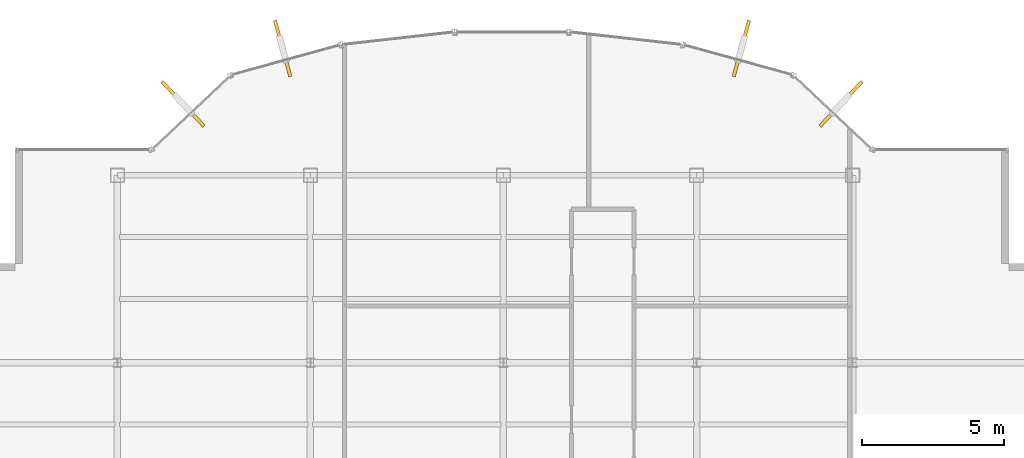
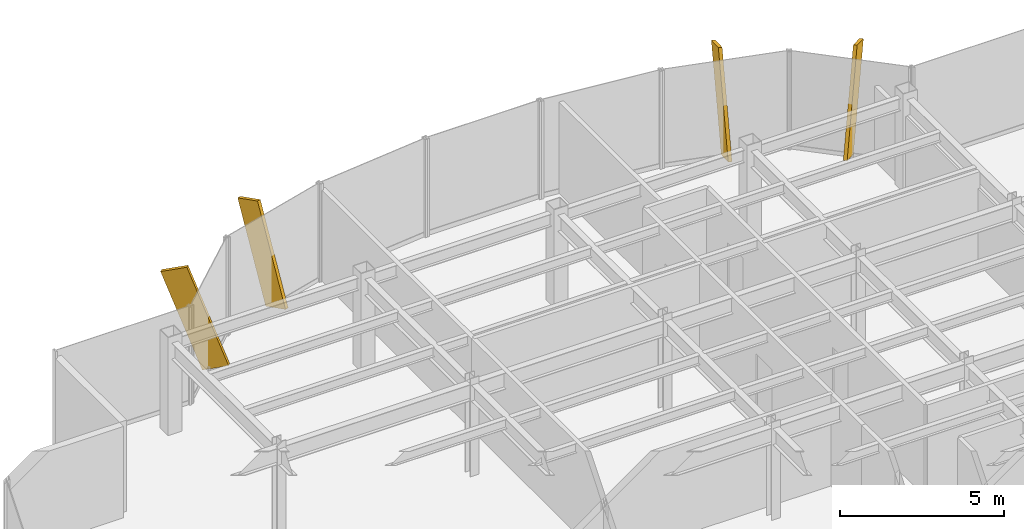
# One storey, part 21 of 22: 4 shading devices.
"""IFC4 building model written with IfcOpenShell, lengths in metres."""

from ifc_helpers import new_model, si_unit, derived_unit, direction, frame, origin, origin_2d, place, context, subcontext, project, spatial, rectangle, extrude, source, transform, mapped, material, type_object, element, save


model = new_model("IFC4")

# Units and contexts
model_context = context("Model", 3, precision=1e-05, world=origin(), true_north=direction((0.0, 1.0)))
body_context = subcontext(model_context, "Body", "Model", "MODEL_VIEW")
ifc_project = project(units=[si_unit("LENGTHUNIT", "METRE"), si_unit("AREAUNIT", "SQUARE_METRE"), si_unit("VOLUMEUNIT", "CUBIC_METRE"), si_unit("PLANEANGLEUNIT", "RADIAN"), si_unit("MASSUNIT", "GRAM", prefix="KILO"), derived_unit("THERMALTRANSMITTANCEUNIT", [(si_unit("POWERUNIT", "WATT"), 1), (si_unit("LENGTHUNIT", "METRE"), -2), (si_unit("THERMODYNAMICTEMPERATUREUNIT", "KELVIN"), -1)])], contexts=[model_context])

# Site, building, storey
site_placement = place(None, origin())
site = spatial("IfcSite", under=ifc_project, at=site_placement, CompositionType="ELEMENT")
building_placement = place(site_placement, origin())
building = spatial("IfcBuilding", under=site, at=building_placement, Name="Skarnbrae Concourse Arena and Tower", CompositionType="ELEMENT")
storey_placement = place(building_placement, frame((0.0, 0.0, 217.800048828125)))
storey = spatial("IfcBuildingStorey", under=building, at=storey_placement, Name="L56", CompositionType="ELEMENT", Elevation=217.800048828125)

# Shading devices
ifc_material = material(Name="Bronze anodised aluminium 6063-T6", Category="aluminium")
shading_device_type = type_object("IfcShadingDeviceType", Name="SHD-BRONZE-FIN-900", PredefinedType="USERDEFINED", material=ifc_material)
shared_shape = source(origin(), body_context, "Body", "SweptSolid", [
    extrude(rectangle(XDim=0.1201171875, YDim=0.89990234375, at=origin_2d()), origin(), (0.0, 0.0, 1.0), 3.64990234375),
])
for number, where, z_axis, x_axis, name in (
    (1, (32.63720703125, 36.435302734375, 0.125244140625), (0.249654525872, 0.265205022033, 0.931310320999), (0.728131751529, -0.685437198009, 0.0), "L56 Outward-leaning bronze shading fin 08"),
    (2, (29.419921875, 38.288330078125, 0.101318359375), (0.087333025047, 0.316887720193, 0.944433753911), (0.964058316208, -0.265690728011, 0.0), "L56 Outward-leaning bronze shading fin 09"),
    (3, (13.580078125, 38.288330078125, 0.101318359375), (-0.087333025047, 0.316887720193, 0.944433753911), (0.964058316208, 0.265690728011, 0.0), "L56 Outward-leaning bronze shading fin 13"),
    (4, (10.36279296875, 36.435302734375, 0.125244140625), (-0.249654525872, 0.265205022033, 0.931310320999), (0.728131751529, 0.685437198009, 0.0), "L56 Outward-leaning bronze shading fin 14"),
):
    element("IfcShadingDevice", number, at=place(storey_placement, frame(where, z_axis=z_axis, x_axis=x_axis)), inside=storey, type_object=shading_device_type, Name=name, ObjectType="FIN", PredefinedType="USERDEFINED", context=body_context, shape_type="MappedRepresentation", body=[
        mapped(shared_shape, transform((0.0, 0.0, 0.0))),
    ])

save(model, "model.ifc")
